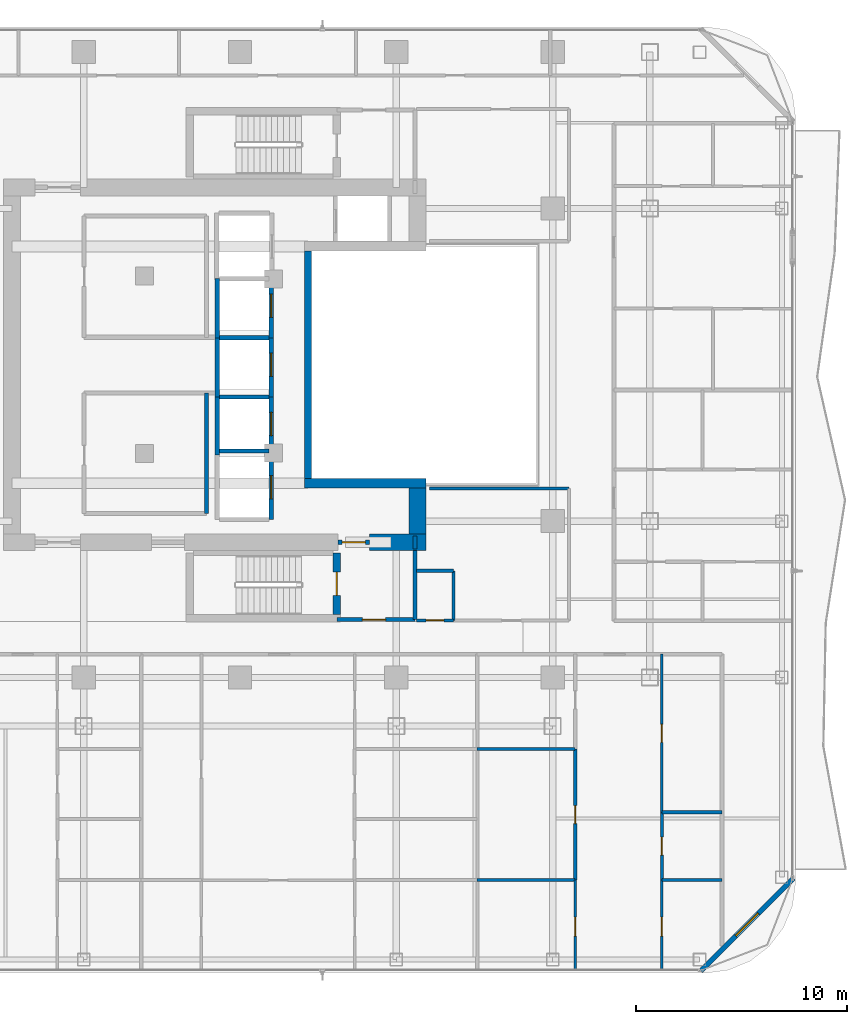
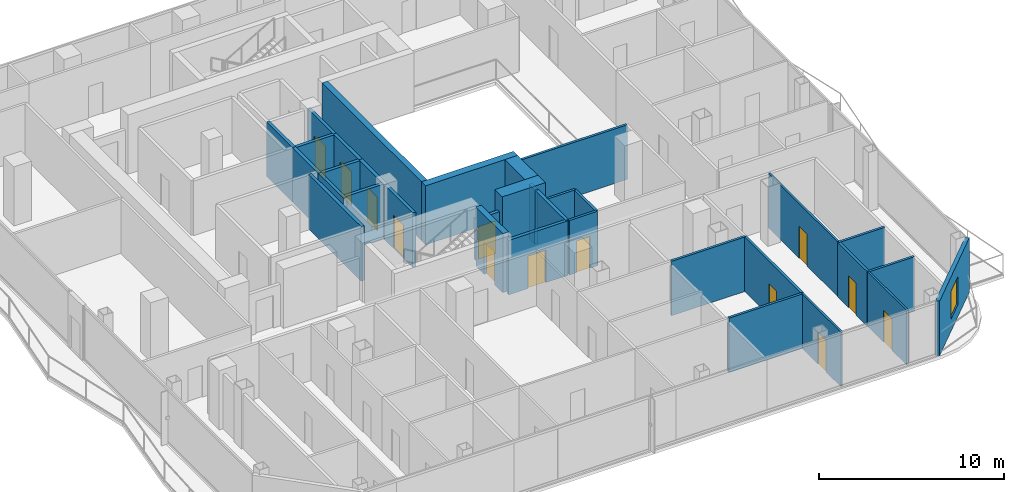
# One storey, part 21 of 27: 34 walls, 13 doors, 1 window, 14 openings.
"""IFC4 building model written with IfcOpenShell, lengths in metres."""

from ifc_helpers import new_model, si_unit, direction, frame, frame_2d, origin, place, context, subcontext, project, spatial, rectangle, extrude, material, layer, layer_set, type_object, element, fill, save


model = new_model("IFC4")

# Units and contexts
model_context = context("Model", 3, precision=1e-05, world=origin(), true_north=direction((0.0, 1.0)))
body_context = subcontext(model_context, "Body", "Model", "MODEL_VIEW")
ifc_project = project(units=[si_unit("LENGTHUNIT", "METRE"), si_unit("AREAUNIT", "SQUARE_METRE"), si_unit("VOLUMEUNIT", "CUBIC_METRE"), si_unit("PLANEANGLEUNIT", "RADIAN"), si_unit("MASSUNIT", "GRAM", prefix="KILO")], contexts=[model_context])

# Site, building, storey
site_placement = place(None, origin())
site = spatial("IfcSite", under=ifc_project, at=site_placement, CompositionType="ELEMENT")
building_placement = place(site_placement, origin())
building = spatial("IfcBuilding", under=site, at=building_placement, Name="Khorvyn Point Tower", CompositionType="ELEMENT")
storey_placement = place(building_placement, frame((0.0, 0.0, 231.300048828125)))
storey = spatial("IfcBuildingStorey", under=building, at=storey_placement, Name="L57", CompositionType="ELEMENT", Elevation=231.300048828125)

# Wall, opening, window
ifc_material_1 = material(Name="Pale anodised aluminium rainscreen on steel stud", Category="steel")
ifc_layer_1 = layer(ifc_material_1, 0.239990234375)
ifc_layer_set_1 = layer_set([ifc_layer_1], Name="Anodised Aluminium Insulated Corner Spandrel Wall 240")
wall_type_1 = type_object("IfcWallType", Name="Anodised Aluminium Insulated Corner Spandrel Wall 240", PredefinedType="SOLIDWALL", material=ifc_layer_set_1)
wall_1_placement = place(storey_placement, frame((26.1923828125, -24.3076171875, 0.0), z_axis=(0.0, 0.0, 1.0), x_axis=(-0.707106781187, -0.707106781187, 0.0)))
wall_1 = element("IfcWall", 1, at=wall_1_placement, inside=storey, type_object=wall_type_1, Name="L57 Rounded Corner Wall SE", PredefinedType="SOLIDWALL", context=body_context, shape_type="SweptSolid", body=[
    extrude(rectangle(XDim=6.200927734375, YDim=0.239990234375, at=frame_2d((3.1005859375, 0.0))), origin(), (0.0, 0.0, 1.0), 3.599853515625),
])
opening_1_placement = place(wall_1_placement, frame((2.3505859375, 0.0, 0.800048828125)))
opening_1 = element("IfcOpeningElement", 2, at=opening_1_placement, cuts=wall_1, Name="Opening WN-1518", PredefinedType="OPENING", context=body_context, shape_type="SweptSolid", body=[
    extrude(rectangle(XDim=1.5, YDim=1.85009765625, at=frame_2d((0.75, 0.925048828125))), frame((0.0, 0.1298828125, 0.0), z_axis=(0.0, -1.0, 0.0), x_axis=(1.0, 0.0, 0.0)), (0.0, 0.0, 1.0), 0.260009765625),
])
ifc_material_2 = material(Name="Anodised aluminium 6063-T6 and laminated Low-E glass", Category="aluminium")
window_type = type_object("IfcWindowType", Name="Anodised Aluminium Rounded-Corner Panoramic Window 1500x1850", PartitioningType="SINGLE_PANEL", PredefinedType="WINDOW", material=ifc_material_2)
window_placement = place(opening_1_placement, origin())
window = element("IfcWindow", 3, at=window_placement, inside=storey, type_object=window_type, Name="L57 Corner Panoramic Window SE", OverallHeight=1.85009765625, OverallWidth=1.5, PartitioningType="SINGLE_PANEL", PredefinedType="WINDOW", context=body_context, shape_type="SweptSolid", body=[
    extrude(rectangle(XDim=1.5, YDim=1.85009765625, at=frame_2d((0.75, 0.925048828125))), frame((0.0, 0.030029296875, 0.0), z_axis=(0.0, -1.0, 0.0), x_axis=(1.0, 0.0, 0.0)), (0.0, 0.0, 1.0), 0.06005859375),
])
fill(opening_1, window)

# Wall
ifc_material_3 = material(Name="Concrete C40/50", Category="concrete")
ifc_layer_2 = layer(ifc_material_3, 0.449951171875)
ifc_layer_set_2 = layer_set([ifc_layer_2], Name="Concrete C40/50 Core Shear Wall 450")
wall_type_2 = type_object("IfcWallType", Name="Concrete C40/50 Core Shear Wall 450", PredefinedType="SHEAR", material=ifc_layer_set_2)
wall_2_placement = place(storey_placement, frame((3.044921875, -5.60009765625, 0.0), z_axis=(0.0, 0.0, 1.0), x_axis=(1.0, 0.0, 0.0)))
element("IfcWall", 4, at=wall_2_placement, inside=storey, type_object=wall_type_2, Name="Wall", PredefinedType="SHEAR", context=body_context, shape_type="SweptSolid", body=[
    extrude(rectangle(XDim=5.755126953125, YDim=0.449951171875, at=frame_2d((2.87744140625, 0.0))), origin(), (0.0, 0.0, 1.0), 3.89990234375),
])

# Wall, opening, door
ifc_layer_3 = layer(ifc_material_3, 0.199951171875)
ifc_layer_set_3 = layer_set([ifc_layer_3], Name="Concrete C40/50 Fire-Lobby Compartment Wall 200")
wall_type_3 = type_object("IfcWallType", Name="Concrete C40/50 Fire-Lobby Compartment Wall 200", PredefinedType="SOLIDWALL", material=ifc_layer_set_3)
wall_3_placement = place(storey_placement, frame((4.580078125, -12.06005859375, 0.0), z_axis=(0.0, 0.0, 1.0), x_axis=(1.0, 0.0, 0.0)))
wall_3 = element("IfcWall", 5, at=wall_3_placement, inside=storey, type_object=wall_type_3, Name="Wall", PredefinedType="SOLIDWALL", context=body_context, shape_type="SweptSolid", body=[
    extrude(rectangle(XDim=3.699951171875, YDim=0.199951171875, at=frame_2d((1.85009765625, 0.0))), origin(), (0.0, 0.0, 1.0), 3.599853515625),
])
opening_2_placement = place(wall_3_placement, frame((1.21240234375, 0.0, 0.0)))
opening_2 = element("IfcOpeningElement", 6, at=opening_2_placement, cuts=wall_3, Name="Opening ID-FL90", PredefinedType="OPENING", context=body_context, shape_type="SweptSolid", body=[
    extrude(rectangle(XDim=1.10009765625, YDim=2.14990234375, at=frame_2d((0.550048828125, 1.074951171875))), frame((0.0, 0.10986328125, 0.0), z_axis=(0.0, -1.0, 0.0), x_axis=(1.0, 0.0, 0.0)), (0.0, 0.0, 1.0), 0.219970703125),
])
ifc_material_4 = material(Name="Galvanised powder-coated steel", Category="steel")
door_type_1 = type_object("IfcDoorType", Name="Fire-Rated Steel Lobby and Stair Door 1100x2150", OperationType="NOTDEFINED", PredefinedType="DOOR", material=ifc_material_4)
door_1_placement = place(opening_2_placement, origin())
door_1 = element("IfcDoor", 7, at=door_1_placement, inside=storey, type_object=door_type_1, Name="Door", OperationType="SINGLE_SWING_LEFT", OverallHeight=2.14990234375, OverallWidth=1.10009765625, PredefinedType="DOOR", context=body_context, shape_type="SweptSolid", body=[
    extrude(rectangle(XDim=1.10009765625, YDim=2.14990234375, at=frame_2d((0.550048828125, 1.074951171875))), frame((0.0, 0.02490234375, 0.0), z_axis=(0.0, -1.0, 0.0), x_axis=(1.0, 0.0, 0.0)), (0.0, 0.0, 1.0), 0.050048828125),
])
fill(opening_2, door_1)

wall_4_placement = place(storey_placement, frame((4.64990234375, -8.39990234375, 0.0), z_axis=(0.0, 0.0, 1.0), x_axis=(1.0, 0.0, 0.0)))
wall_4 = element("IfcWall", 8, at=wall_4_placement, inside=storey, type_object=wall_type_3, Name="Wall", PredefinedType="SOLIDWALL", context=body_context, shape_type="SweptSolid", body=[
    extrude(rectangle(XDim=1.47021484375, YDim=0.199951171875, at=frame_2d((0.735107421875, 0.0))), origin(), (0.0, 0.0, 1.0), 2.739990234375),
])
opening_3_placement = place(wall_4_placement, frame((0.18505859375, 0.0, 0.0)))
opening_3 = element("IfcOpeningElement", 9, at=opening_3_placement, cuts=wall_4, Name="Opening ID-FL90", PredefinedType="OPENING", context=body_context, shape_type="SweptSolid", body=[
    extrude(rectangle(XDim=1.10009765625, YDim=2.14990234375, at=frame_2d((0.550048828125, 1.074951171875))), frame((0.0, 0.10986328125, 0.0), z_axis=(0.0, -1.0, 0.0), x_axis=(1.0, 0.0, 0.0)), (0.0, 0.0, 1.0), 0.219970703125),
])
door_2_placement = place(opening_3_placement, origin())
door_2 = element("IfcDoor", 10, at=door_2_placement, inside=storey, type_object=door_type_1, Name="Door", OperationType="SINGLE_SWING_RIGHT", OverallHeight=2.14990234375, OverallWidth=1.10009765625, PredefinedType="DOOR", context=body_context, shape_type="SweptSolid", body=[
    extrude(rectangle(XDim=1.10009765625, YDim=2.14990234375, at=frame_2d((0.550048828125, 1.074951171875))), frame((0.0, 0.02490234375, 0.0), z_axis=(0.0, -1.0, 0.0), x_axis=(1.0, 0.0, 0.0)), (0.0, 0.0, 1.0), 0.050048828125),
])
fill(opening_3, door_2)

# Walls
wall_5_placement = place(storey_placement, frame((8.280029296875, -12.06005859375, 0.0), z_axis=(0.0, 0.0, 1.0), x_axis=(0.0, 1.0, 0.0)))
element("IfcWall", 11, at=wall_5_placement, inside=storey, type_object=wall_type_3, Name="Wall", PredefinedType="SOLIDWALL", context=body_context, shape_type="SweptSolid", body=[
    extrude(rectangle(XDim=3.260009765625, YDim=0.199951171875, at=frame_2d((1.6298828125, 0.0))), origin(), (0.0, 0.0, 1.0), 3.599853515625),
])
wall_6_placement = place(storey_placement, frame((-1.580078125, -7.0400390625, 0.0), z_axis=(0.0, 0.0, 1.0), x_axis=(0.0, 1.0, 0.0)))
element("IfcWall", 12, at=wall_6_placement, inside=storey, type_object=wall_type_3, Name="Wall", PredefinedType="SOLIDWALL", context=body_context, shape_type="SweptSolid", body=[
    extrude(rectangle(XDim=5.699951171875, YDim=0.199951171875, at=frame_2d((2.85009765625, 0.0))), origin(), (0.0, 0.0, 1.0), 3.599853515625),
])
wall_7_placement = place(storey_placement, frame((8.280029296875, -8.72509765625, 0.0), z_axis=(0.0, 0.0, 1.0), x_axis=(0.0, 1.0, 0.0)))
element("IfcWall", 13, at=wall_7_placement, inside=storey, type_object=wall_type_3, Name="Wall", PredefinedType="SOLIDWALL", context=body_context, shape_type="SweptSolid", body=[
    extrude(rectangle(XDim=0.625, YDim=0.199951171875, at=frame_2d((0.3125, 0.0))), origin(), (0.0, 0.0, 1.0), 3.599853515625),
])
ifc_layer_4 = layer(ifc_material_3, 0.35009765625)
ifc_layer_set_4 = layer_set([ifc_layer_4], Name="Concrete C40/50 Stair Shaft Structural Wall 350")
wall_type_4 = type_object("IfcWallType", Name="Concrete C40/50 Stair Shaft Structural Wall 350", PredefinedType="SHEAR", material=ifc_layer_set_4)
wall_8_placement = place(storey_placement, frame((3.219970703125, -5.375, 0.0), z_axis=(0.0, 0.0, 1.0), x_axis=(0.0, 1.0, 0.0)))
element("IfcWall", 14, at=wall_8_placement, inside=storey, type_object=wall_type_4, Name="Wall", PredefinedType="SHEAR", context=body_context, shape_type="SweptSolid", body=[
    extrude(rectangle(XDim=10.75, YDim=0.35009765625, at=frame_2d((5.375, 0.0))), origin(), (0.0, 0.0, 1.0), 3.89990234375),
])

# Wall, opening, door
wall_9_placement = place(storey_placement, frame((4.580078125, -8.89990234375, 0.0), z_axis=(0.0, 0.0, 1.0), x_axis=(0.0, -1.0, 0.0)))
wall_9 = element("IfcWall", 15, at=wall_9_placement, inside=storey, type_object=wall_type_4, Name="L57 ST-01 East Landing Door Wall", PredefinedType="SHEAR", context=body_context, shape_type="SweptSolid", body=[
    extrude(rectangle(XDim=2.925048828125, YDim=0.35009765625, at=frame_2d((1.46240234375, 0.0))), origin(), (0.0, 0.0, 1.0), 3.89990234375),
])
opening_4_placement = place(wall_9_placement, frame((0.91259765625, 0.0, 0.0)))
opening_4 = element("IfcOpeningElement", 16, at=opening_4_placement, cuts=wall_9, Name="Opening ID-FL90", PredefinedType="OPENING", context=body_context, shape_type="SweptSolid", body=[
    extrude(rectangle(XDim=1.10009765625, YDim=2.14990234375, at=frame_2d((0.550048828125, 1.074951171875))), frame((0.0, 0.18505859375, 0.0), z_axis=(0.0, -1.0, 0.0), x_axis=(1.0, 0.0, 0.0)), (0.0, 0.0, 1.0), 0.3701171875),
])
door_3_placement = place(opening_4_placement, origin())
door_3 = element("IfcDoor", 17, at=door_3_placement, inside=storey, type_object=door_type_1, Name="L57 ST-01 Smokeproof Landing Door", OperationType="SINGLE_SWING_LEFT", OverallHeight=2.14990234375, OverallWidth=1.10009765625, PredefinedType="DOOR", context=body_context, shape_type="SweptSolid", body=[
    extrude(rectangle(XDim=1.10009765625, YDim=2.14990234375, at=frame_2d((0.550048828125, 1.074951171875))), frame((0.0, 0.02490234375, 0.0), z_axis=(0.0, -1.0, 0.0), x_axis=(1.0, 0.0, 0.0)), (0.0, 0.0, 1.0), 0.050048828125),
])
fill(opening_4, door_3)

# Wall
ifc_layer_5 = layer(ifc_material_3, 0.199951171875)
ifc_layer_set_5 = layer_set([ifc_layer_5], Name="Concrete C40/50 Structural Hoistway and Stair Shaft Wall 200")
wall_type_5 = type_object("IfcWallType", Name="Concrete C40/50 Structural Hoistway and Stair Shaft Wall 200", PredefinedType="SHEAR", material=ifc_layer_set_5)
wall_10_placement = place(storey_placement, frame((-1.074951171875, -4.27490234375, 0.0), z_axis=(0.0, 0.0, 1.0), x_axis=(0.0, 1.0, 0.0)))
element("IfcWall", 18, at=wall_10_placement, inside=storey, type_object=wall_type_5, Name="Wall", PredefinedType="SHEAR", context=body_context, shape_type="SweptSolid", body=[
    extrude(rectangle(XDim=2.75, YDim=0.199951171875, at=frame_2d((1.375, 0.0))), origin(), (0.0, 0.0, 1.0), 3.599853515625),
])

# Wall, opening, door
wall_11_placement = place(storey_placement, frame((1.47509765625, -4.27490234375, 0.0), z_axis=(0.0, 0.0, 1.0), x_axis=(0.0, 1.0, 0.0)))
wall_11 = element("IfcWall", 19, at=wall_11_placement, inside=storey, type_object=wall_type_5, Name="Wall", PredefinedType="SHEAR", context=body_context, shape_type="SweptSolid", body=[
    extrude(rectangle(XDim=2.75, YDim=0.199951171875, at=frame_2d((1.375, 0.0))), origin(), (0.0, 0.0, 1.0), 3.599853515625),
])
opening_5_placement = place(wall_11_placement, frame((0.925048828125, 0.0, 0.0)))
opening_5 = element("IfcOpeningElement", 20, at=opening_5_placement, cuts=wall_11, Name="Opening LD-1122", PredefinedType="OPENING", context=body_context, shape_type="SweptSolid", body=[
    extrude(rectangle(XDim=1.10009765625, YDim=2.199951171875, at=frame_2d((0.550048828125, 1.10009765625))), frame((0.0, 0.10986328125, 0.0), z_axis=(0.0, -1.0, 0.0), x_axis=(1.0, 0.0, 0.0)), (0.0, 0.0, 1.0), 0.219970703125),
])
ifc_material_5 = material(Name="Stainless steel 1.4301", Category="steel")
door_type_2 = type_object("IfcDoorType", Name="Stainless Steel Automatic Sliding Lift Landing Door 1100x2200", OperationType="SLIDING_TO_LEFT", PredefinedType="DOOR", material=ifc_material_5)
door_4_placement = place(opening_5_placement, origin())
door_4 = element("IfcDoor", 21, at=door_4_placement, inside=storey, type_object=door_type_2, Name="L57 RH-01 Sliding Lift Landing Door", OperationType="SLIDING_TO_LEFT", OverallHeight=2.199951171875, OverallWidth=1.10009765625, PredefinedType="DOOR", context=body_context, shape_type="SweptSolid", body=[
    extrude(rectangle(XDim=1.10009765625, YDim=2.199951171875, at=frame_2d((0.550048828125, 1.10009765625))), frame((0.0, 0.02490234375, 0.0), z_axis=(0.0, -1.0, 0.0), x_axis=(1.0, 0.0, 0.0)), (0.0, 0.0, 1.0), 0.050048828125),
])
fill(opening_5, door_4)

# Walls
for number, where, z_axis, x_axis, name in (
    (22, (-0.97509765625, -4.074951171875, 0.0), (0.0, 0.0, 1.0), (1.0, 0.0, 0.0), "Wall"),
    (23, (-0.97509765625, -1.52490234375, 0.0), (0.0, 0.0, 1.0), (1.0, 0.0, 0.0), "Wall"),
):
    element("IfcWall", number, at=place(storey_placement, frame(where, z_axis=z_axis, x_axis=x_axis)), inside=storey, type_object=wall_type_5, Name=name, PredefinedType="SHEAR", context=body_context, shape_type="SweptSolid", body=[
        extrude(rectangle(XDim=2.35009765625, YDim=0.199951171875, at=frame_2d((1.175048828125, 0.0))), origin(), (0.0, 0.0, 1.0), 3.599853515625),
    ])
wall_12_placement = place(storey_placement, frame((-1.074951171875, -1.52490234375, 0.0), z_axis=(0.0, 0.0, 1.0), x_axis=(0.0, 1.0, 0.0)))
element("IfcWall", 24, at=wall_12_placement, inside=storey, type_object=wall_type_5, Name="Wall", PredefinedType="SHEAR", context=body_context, shape_type="SweptSolid", body=[
    extrude(rectangle(XDim=2.7998046875, YDim=0.199951171875, at=frame_2d((1.39990234375, 0.0))), origin(), (0.0, 0.0, 1.0), 3.599853515625),
])

# Wall, opening, door
wall_13_placement = place(storey_placement, frame((1.47509765625, -1.52490234375, 0.0), z_axis=(0.0, 0.0, 1.0), x_axis=(0.0, 1.0, 0.0)))
wall_13 = element("IfcWall", 25, at=wall_13_placement, inside=storey, type_object=wall_type_5, Name="Wall", PredefinedType="SHEAR", context=body_context, shape_type="SweptSolid", body=[
    extrude(rectangle(XDim=2.7998046875, YDim=0.199951171875, at=frame_2d((1.39990234375, 0.0))), origin(), (0.0, 0.0, 1.0), 3.599853515625),
])
opening_6_placement = place(wall_13_placement, frame((0.97509765625, 0.0, 0.0)))
opening_6 = element("IfcOpeningElement", 26, at=opening_6_placement, cuts=wall_13, Name="Opening LD-1122", PredefinedType="OPENING", context=body_context, shape_type="SweptSolid", body=[
    extrude(rectangle(XDim=1.10009765625, YDim=2.199951171875, at=frame_2d((0.550048828125, 1.10009765625))), frame((0.0, 0.10986328125, 0.0), z_axis=(0.0, -1.0, 0.0), x_axis=(1.0, 0.0, 0.0)), (0.0, 0.0, 1.0), 0.219970703125),
])
door_5_placement = place(opening_6_placement, origin())
door_5 = element("IfcDoor", 27, at=door_5_placement, inside=storey, type_object=door_type_2, Name="L57 RH-02 Sliding Lift Landing Door", OperationType="SLIDING_TO_LEFT", OverallHeight=2.199951171875, OverallWidth=1.10009765625, PredefinedType="DOOR", context=body_context, shape_type="SweptSolid", body=[
    extrude(rectangle(XDim=1.10009765625, YDim=2.199951171875, at=frame_2d((0.550048828125, 1.10009765625))), frame((0.0, 0.02490234375, 0.0), z_axis=(0.0, -1.0, 0.0), x_axis=(1.0, 0.0, 0.0)), (0.0, 0.0, 1.0), 0.050048828125),
])
fill(opening_6, door_5)

# Walls
wall_14_placement = place(storey_placement, frame((-0.97509765625, 1.27490234375, 0.0), z_axis=(0.0, 0.0, 1.0), x_axis=(1.0, 0.0, 0.0)))
element("IfcWall", 28, at=wall_14_placement, inside=storey, type_object=wall_type_5, Name="Wall", PredefinedType="SHEAR", context=body_context, shape_type="SweptSolid", body=[
    extrude(rectangle(XDim=2.35009765625, YDim=0.199951171875, at=frame_2d((1.175048828125, 0.0))), origin(), (0.0, 0.0, 1.0), 3.599853515625),
])
wall_15_placement = place(storey_placement, frame((-1.074951171875, 1.27490234375, 0.0), z_axis=(0.0, 0.0, 1.0), x_axis=(0.0, 1.0, 0.0)))
element("IfcWall", 29, at=wall_15_placement, inside=storey, type_object=wall_type_5, Name="Wall", PredefinedType="SHEAR", context=body_context, shape_type="SweptSolid", body=[
    extrude(rectangle(XDim=2.800048828125, YDim=0.199951171875, at=frame_2d((1.39990234375, 0.0))), origin(), (0.0, 0.0, 1.0), 3.599853515625),
])

# Wall, opening, door
wall_16_placement = place(storey_placement, frame((1.47509765625, 1.27490234375, 0.0), z_axis=(0.0, 0.0, 1.0), x_axis=(0.0, 1.0, 0.0)))
wall_16 = element("IfcWall", 30, at=wall_16_placement, inside=storey, type_object=wall_type_5, Name="Wall", PredefinedType="SHEAR", context=body_context, shape_type="SweptSolid", body=[
    extrude(rectangle(XDim=2.800048828125, YDim=0.199951171875, at=frame_2d((1.39990234375, 0.0))), origin(), (0.0, 0.0, 1.0), 3.599853515625),
])
opening_7_placement = place(wall_16_placement, frame((0.97509765625, 0.0, 0.0)))
opening_7 = element("IfcOpeningElement", 31, at=opening_7_placement, cuts=wall_16, Name="Opening LD-1122", PredefinedType="OPENING", context=body_context, shape_type="SweptSolid", body=[
    extrude(rectangle(XDim=1.10009765625, YDim=2.199951171875, at=frame_2d((0.550048828125, 1.10009765625))), frame((0.0, 0.10986328125, 0.0), z_axis=(0.0, -1.0, 0.0), x_axis=(1.0, 0.0, 0.0)), (0.0, 0.0, 1.0), 0.219970703125),
])
door_6_placement = place(opening_7_placement, origin())
door_6 = element("IfcDoor", 32, at=door_6_placement, inside=storey, type_object=door_type_2, Name="L57 RH-03 Sliding Lift Landing Door", OperationType="SLIDING_TO_LEFT", OverallHeight=2.199951171875, OverallWidth=1.10009765625, PredefinedType="DOOR", context=body_context, shape_type="SweptSolid", body=[
    extrude(rectangle(XDim=1.10009765625, YDim=2.199951171875, at=frame_2d((0.550048828125, 1.10009765625))), frame((0.0, 0.02490234375, 0.0), z_axis=(0.0, -1.0, 0.0), x_axis=(1.0, 0.0, 0.0)), (0.0, 0.0, 1.0), 0.050048828125),
])
fill(opening_7, door_6)

wall_17_placement = place(storey_placement, frame((1.47509765625, -7.324951171875, 0.0), z_axis=(0.0, 0.0, 1.0), x_axis=(0.0, 1.0, 0.0)))
wall_17 = element("IfcWall", 33, at=wall_17_placement, inside=storey, type_object=wall_type_5, Name="Wall", PredefinedType="SHEAR", context=body_context, shape_type="SweptSolid", body=[
    extrude(rectangle(XDim=3.050048828125, YDim=0.199951171875, at=frame_2d((1.52490234375, 0.0))), origin(), (0.0, 0.0, 1.0), 3.599853515625),
])
opening_8_placement = place(wall_17_placement, frame((0.97509765625, 0.0, 0.0)))
opening_8 = element("IfcOpeningElement", 34, at=opening_8_placement, cuts=wall_17, Name="Opening LD-1122", PredefinedType="OPENING", context=body_context, shape_type="SweptSolid", body=[
    extrude(rectangle(XDim=1.10009765625, YDim=2.199951171875, at=frame_2d((0.550048828125, 1.10009765625))), frame((0.0, 0.10986328125, 0.0), z_axis=(0.0, -1.0, 0.0), x_axis=(1.0, 0.0, 0.0)), (0.0, 0.0, 1.0), 0.219970703125),
])
door_7_placement = place(opening_8_placement, origin())
door_7 = element("IfcDoor", 35, at=door_7_placement, inside=storey, type_object=door_type_2, Name="L57 FF-01 Sliding Lift Landing Door", OperationType="SLIDING_TO_LEFT", OverallHeight=2.199951171875, OverallWidth=1.10009765625, PredefinedType="DOOR", context=body_context, shape_type="SweptSolid", body=[
    extrude(rectangle(XDim=1.10009765625, YDim=2.199951171875, at=frame_2d((0.550048828125, 1.10009765625))), frame((0.0, 0.02490234375, 0.0), z_axis=(0.0, -1.0, 0.0), x_axis=(1.0, 0.0, 0.0)), (0.0, 0.0, 1.0), 0.050048828125),
])
fill(opening_8, door_7)

# Walls
ifc_material_6 = material(Name="Concrete C45/55", Category="concrete")
ifc_layer_6 = layer(ifc_material_6, 0.800048828125)
ifc_layer_set_6 = layer_set([ifc_layer_6], Name="Concrete C45/55 Core Shear Wall 800")
wall_type_6 = type_object("IfcWallType", Name="Concrete C45/55 Core Shear Wall 800", PredefinedType="SHEAR", material=ifc_layer_set_6)
wall_18_placement = place(storey_placement, frame((6.1201171875, -8.39990234375, 0.0), z_axis=(0.0, 0.0, 1.0), x_axis=(1.0, 0.0, 0.0)))
element("IfcWall", 36, at=wall_18_placement, inside=storey, type_object=wall_type_6, Name="Wall", PredefinedType="SHEAR", context=body_context, shape_type="SweptSolid", body=[
    extrude(rectangle(XDim=2.679931640625, YDim=0.800048828125, at=frame_2d((1.33984375, 0.0))), origin(), (0.0, 0.0, 1.0), 3.89990234375),
])
wall_19_placement = place(storey_placement, frame((8.39990234375, -8.0, 0.0), z_axis=(0.0, 0.0, 1.0), x_axis=(0.0, 1.0, 0.0)))
element("IfcWall", 37, at=wall_19_placement, inside=storey, type_object=wall_type_6, Name="Wall", PredefinedType="SHEAR", context=body_context, shape_type="SweptSolid", body=[
    extrude(rectangle(XDim=2.175048828125, YDim=0.800048828125, at=frame_2d((1.08740234375, 0.0))), origin(), (0.0, 0.0, 1.0), 3.89990234375),
])

# Wall, opening, door
ifc_material_7 = material(Name="Gypsum plasterboard on steel stud", Category="steel")
ifc_layer_7 = layer(ifc_material_7, 0.1201171875)
ifc_layer_set_7 = layer_set([ifc_layer_7], Name="Gypsum Acoustic Stud Room Partition Wall 120")
wall_type_7 = type_object("IfcWallType", Name="Gypsum Acoustic Stud Room Partition Wall 120", PredefinedType="PARTITIONING", material=ifc_layer_set_7)
wall_20_placement = place(storey_placement, frame((15.864990234375, -28.6298828125, 0.0), z_axis=(0.0, 0.0, 1.0), x_axis=(0.0, 1.0, 0.0)))
wall_20 = element("IfcWall", 38, at=wall_20_placement, inside=storey, type_object=wall_type_7, Name="Wall", PredefinedType="PARTITIONING", context=body_context, shape_type="SweptSolid", body=[
    extrude(rectangle(XDim=4.239990234375, YDim=0.1201171875, at=frame_2d((2.1201171875, 0.0))), origin(), (0.0, 0.0, 1.0), 3.599853515625),
])
opening_9_placement = place(wall_20_placement, frame((1.581298828125, 0.0, 0.0)))
opening_9 = element("IfcOpeningElement", 39, at=opening_9_placement, cuts=wall_20, Name="Opening ID-RM90", PredefinedType="OPENING", context=body_context, shape_type="SweptSolid", body=[
    extrude(rectangle(XDim=0.89990234375, YDim=2.10009765625, at=frame_2d((0.449951171875, 1.050048828125))), frame((0.0, 0.070068359375, 0.0), z_axis=(0.0, -1.0, 0.0), x_axis=(1.0, 0.0, 0.0)), (0.0, 0.0, 1.0), 0.14013671875),
])
ifc_material_8 = material(Name="Engineered oak veneer timber", Category="wood")
door_type_3 = type_object("IfcDoorType", Name="Flush Engineered Timber Room Door 900x2100", OperationType="NOTDEFINED", PredefinedType="DOOR", material=ifc_material_8)
door_8_placement = place(opening_9_placement, origin())
door_8 = element("IfcDoor", 40, at=door_8_placement, inside=storey, type_object=door_type_3, Name="Door", OperationType="SINGLE_SWING_RIGHT", OverallHeight=2.10009765625, OverallWidth=0.89990234375, PredefinedType="DOOR", context=body_context, shape_type="SweptSolid", body=[
    extrude(rectangle(XDim=0.89990234375, YDim=2.10009765625, at=frame_2d((0.449951171875, 1.050048828125))), frame((0.0, 0.02490234375, 0.0), z_axis=(0.0, -1.0, 0.0), x_axis=(1.0, 0.0, 0.0)), (0.0, 0.0, 1.0), 0.050048828125),
])
fill(opening_9, door_8)

wall_21_placement = place(storey_placement, frame((19.969970703125, -21.18310546875, 0.0), z_axis=(0.0, 0.0, 1.0), x_axis=(0.0, 1.0, 0.0)))
wall_21 = element("IfcWall", 41, at=wall_21_placement, inside=storey, type_object=wall_type_7, Name="Wall", PredefinedType="PARTITIONING", context=body_context, shape_type="SweptSolid", body=[
    extrude(rectangle(XDim=7.483154296875, YDim=0.1201171875, at=frame_2d((3.74169921875, 0.0))), origin(), (0.0, 0.0, 1.0), 3.599853515625),
])
opening_10_placement = place(wall_21_placement, frame((3.31640625, 0.0, 0.0)))
opening_10 = element("IfcOpeningElement", 42, at=opening_10_placement, cuts=wall_21, Name="Opening ID-WC85", PredefinedType="OPENING", context=body_context, shape_type="SweptSolid", body=[
    extrude(rectangle(XDim=0.85009765625, YDim=2.10009765625, at=frame_2d((0.425048828125, 1.050048828125))), frame((0.0, 0.070068359375, 0.0), z_axis=(0.0, -1.0, 0.0), x_axis=(1.0, 0.0, 0.0)), (0.0, 0.0, 1.0), 0.14013671875),
])
ifc_material_9 = material(Name="High-pressure laminate on moisture-resistant core", Category="wood")
door_type_4 = type_object("IfcDoorType", Name="Moisture-Resistant Accessible Washroom Door 850x2100", OperationType="NOTDEFINED", PredefinedType="DOOR", material=ifc_material_9)
door_9_placement = place(opening_10_placement, origin())
door_9 = element("IfcDoor", 43, at=door_9_placement, inside=storey, type_object=door_type_4, Name="Door", OperationType="SINGLE_SWING_RIGHT", OverallHeight=2.10009765625, OverallWidth=0.85009765625, PredefinedType="DOOR", context=body_context, shape_type="SweptSolid", body=[
    extrude(rectangle(XDim=0.85009765625, YDim=2.10009765625, at=frame_2d((0.425048828125, 1.050048828125))), frame((0.0, 0.02490234375, 0.0), z_axis=(0.0, -1.0, 0.0), x_axis=(1.0, 0.0, 0.0)), (0.0, 0.0, 1.0), 0.050048828125),
])
fill(opening_10, door_9)

wall_22_placement = place(storey_placement, frame((19.969970703125, -28.6298828125, 0.0), z_axis=(0.0, 0.0, 1.0), x_axis=(0.0, 1.0, 0.0)))
wall_22 = element("IfcWall", 44, at=wall_22_placement, inside=storey, type_object=wall_type_7, Name="Wall", PredefinedType="PARTITIONING", context=body_context, shape_type="SweptSolid", body=[
    extrude(rectangle(XDim=4.239990234375, YDim=0.1201171875, at=frame_2d((2.1201171875, 0.0))), origin(), (0.0, 0.0, 1.0), 3.599853515625),
])
opening_11_placement = place(wall_22_placement, frame((1.581298828125, 0.0, 0.0)))
opening_11 = element("IfcOpeningElement", 45, at=opening_11_placement, cuts=wall_22, Name="Opening ID-RM90", PredefinedType="OPENING", context=body_context, shape_type="SweptSolid", body=[
    extrude(rectangle(XDim=0.89990234375, YDim=2.10009765625, at=frame_2d((0.449951171875, 1.050048828125))), frame((0.0, 0.070068359375, 0.0), z_axis=(0.0, -1.0, 0.0), x_axis=(1.0, 0.0, 0.0)), (0.0, 0.0, 1.0), 0.14013671875),
])
door_10_placement = place(opening_11_placement, origin())
door_10 = element("IfcDoor", 46, at=door_10_placement, inside=storey, type_object=door_type_3, Name="Door", OperationType="SINGLE_SWING_LEFT", OverallHeight=2.10009765625, OverallWidth=0.89990234375, PredefinedType="DOOR", context=body_context, shape_type="SweptSolid", body=[
    extrude(rectangle(XDim=0.89990234375, YDim=2.10009765625, at=frame_2d((0.449951171875, 1.050048828125))), frame((0.0, 0.02490234375, 0.0), z_axis=(0.0, -1.0, 0.0), x_axis=(1.0, 0.0, 0.0)), (0.0, 0.0, 1.0), 0.050048828125),
])
fill(opening_11, door_10)

ifc_material_10 = material(Name="Moisture-resistant gypsum and cement board", Category="gypsum")
ifc_layer_8 = layer(ifc_material_10, 0.14990234375)
ifc_layer_set_8 = layer_set([ifc_layer_8], Name="Moisture-Resistant Wet-Room Partition Wall 150")
wall_type_8 = type_object("IfcWallType", Name="Moisture-Resistant Wet-Room Partition Wall 150", PredefinedType="PARTITIONING", material=ifc_layer_set_8)
wall_23_placement = place(storey_placement, frame((8.360107421875, -12.10009765625, 0.0), z_axis=(0.0, 0.0, 1.0), x_axis=(1.0, 0.0, 0.0)))
wall_23 = element("IfcWall", 47, at=wall_23_placement, inside=storey, type_object=wall_type_8, Name="Wall", PredefinedType="PARTITIONING", context=body_context, shape_type="SweptSolid", body=[
    extrude(rectangle(XDim=1.739990234375, YDim=0.14990234375, at=frame_2d((0.8701171875, 0.0))), origin(), (0.0, 0.0, 1.0), 3.599853515625),
])
opening_12_placement = place(wall_23_placement, frame((0.445068359375, 0.0, 0.0)))
opening_12 = element("IfcOpeningElement", 48, at=opening_12_placement, cuts=wall_23, Name="Opening ID-WC85", PredefinedType="OPENING", context=body_context, shape_type="SweptSolid", body=[
    extrude(rectangle(XDim=0.85009765625, YDim=2.10009765625, at=frame_2d((0.425048828125, 1.050048828125))), frame((0.0, 0.0849609375, 0.0), z_axis=(0.0, -1.0, 0.0), x_axis=(1.0, 0.0, 0.0)), (0.0, 0.0, 1.0), 0.169921875),
])
door_11_placement = place(opening_12_placement, origin())
door_11 = element("IfcDoor", 49, at=door_11_placement, inside=storey, type_object=door_type_4, Name="Door", OperationType="SINGLE_SWING_RIGHT", OverallHeight=2.10009765625, OverallWidth=0.85009765625, PredefinedType="DOOR", context=body_context, shape_type="SweptSolid", body=[
    extrude(rectangle(XDim=0.85009765625, YDim=2.10009765625, at=frame_2d((0.425048828125, 1.050048828125))), frame((0.0, 0.02490234375, 0.0), z_axis=(0.0, -1.0, 0.0), x_axis=(1.0, 0.0, 0.0)), (0.0, 0.0, 1.0), 0.050048828125),
])
fill(opening_12, door_11)

wall_24_placement = place(storey_placement, frame((15.864990234375, -24.389892578125, 0.0), z_axis=(0.0, 0.0, 1.0), x_axis=(0.0, 1.0, 0.0)))
wall_24 = element("IfcWall", 50, at=wall_24_placement, inside=storey, type_object=wall_type_8, Name="Wall", PredefinedType="PARTITIONING", context=body_context, shape_type="SweptSolid", body=[
    extrude(rectangle(XDim=6.199951171875, YDim=0.14990234375, at=frame_2d((3.10009765625, 0.0))), origin(), (0.0, 0.0, 1.0), 3.599853515625),
])
opening_13_placement = place(wall_24_placement, frame((2.675048828125, 0.0, 0.0)))
opening_13 = element("IfcOpeningElement", 51, at=opening_13_placement, cuts=wall_24, Name="Opening ID-WC85", PredefinedType="OPENING", context=body_context, shape_type="SweptSolid", body=[
    extrude(rectangle(XDim=0.85009765625, YDim=2.10009765625, at=frame_2d((0.425048828125, 1.050048828125))), frame((0.0, 0.0849609375, 0.0), z_axis=(0.0, -1.0, 0.0), x_axis=(1.0, 0.0, 0.0)), (0.0, 0.0, 1.0), 0.169921875),
])
door_12_placement = place(opening_13_placement, origin())
door_12 = element("IfcDoor", 52, at=door_12_placement, inside=storey, type_object=door_type_4, Name="Door", OperationType="SINGLE_SWING_RIGHT", OverallHeight=2.10009765625, OverallWidth=0.85009765625, PredefinedType="DOOR", context=body_context, shape_type="SweptSolid", body=[
    extrude(rectangle(XDim=0.85009765625, YDim=2.10009765625, at=frame_2d((0.425048828125, 1.050048828125))), frame((0.0, 0.02490234375, 0.0), z_axis=(0.0, -1.0, 0.0), x_axis=(1.0, 0.0, 0.0)), (0.0, 0.0, 1.0), 0.050048828125),
])
fill(opening_13, door_12)

wall_25_placement = place(storey_placement, frame((19.969970703125, -24.389892578125, 0.0), z_axis=(0.0, 0.0, 1.0), x_axis=(0.0, 1.0, 0.0)))
wall_25 = element("IfcWall", 53, at=wall_25_placement, inside=storey, type_object=wall_type_8, Name="Wall", PredefinedType="PARTITIONING", context=body_context, shape_type="SweptSolid", body=[
    extrude(rectangle(XDim=3.206787109375, YDim=0.14990234375, at=frame_2d((1.603515625, 0.0))), origin(), (0.0, 0.0, 1.0), 3.599853515625),
])
opening_14_placement = place(wall_25_placement, frame((1.178466796875, 0.0, 0.0)))
opening_14 = element("IfcOpeningElement", 54, at=opening_14_placement, cuts=wall_25, Name="Opening ID-WC85", PredefinedType="OPENING", context=body_context, shape_type="SweptSolid", body=[
    extrude(rectangle(XDim=0.85009765625, YDim=2.10009765625, at=frame_2d((0.425048828125, 1.050048828125))), frame((0.0, 0.0849609375, 0.0), z_axis=(0.0, -1.0, 0.0), x_axis=(1.0, 0.0, 0.0)), (0.0, 0.0, 1.0), 0.169921875),
])
door_13_placement = place(opening_14_placement, origin())
door_13 = element("IfcDoor", 55, at=door_13_placement, inside=storey, type_object=door_type_4, Name="Door", OperationType="SINGLE_SWING_LEFT", OverallHeight=2.10009765625, OverallWidth=0.85009765625, PredefinedType="DOOR", context=body_context, shape_type="SweptSolid", body=[
    extrude(rectangle(XDim=0.85009765625, YDim=2.10009765625, at=frame_2d((0.425048828125, 1.050048828125))), frame((0.0, 0.02490234375, 0.0), z_axis=(0.0, -1.0, 0.0), x_axis=(1.0, 0.0, 0.0)), (0.0, 0.0, 1.0), 0.050048828125),
])
fill(opening_14, door_13)

# Walls
wall_26_placement = place(storey_placement, frame((8.360107421875, -9.75, 0.0), z_axis=(0.0, 0.0, 1.0), x_axis=(1.0, 0.0, 0.0)))
element("IfcWall", 56, at=wall_26_placement, inside=storey, type_object=wall_type_8, Name="Wall", PredefinedType="PARTITIONING", context=body_context, shape_type="SweptSolid", body=[
    extrude(rectangle(XDim=1.739990234375, YDim=0.14990234375, at=frame_2d((0.8701171875, 0.0))), origin(), (0.0, 0.0, 1.0), 3.599853515625),
])
wall_27_placement = place(storey_placement, frame((10.10009765625, -12.10009765625, 0.0), z_axis=(0.0, 0.0, 1.0), x_axis=(0.0, 1.0, 0.0)))
element("IfcWall", 57, at=wall_27_placement, inside=storey, type_object=wall_type_8, Name="Wall", PredefinedType="PARTITIONING", context=body_context, shape_type="SweptSolid", body=[
    extrude(rectangle(XDim=2.35009765625, YDim=0.14990234375, at=frame_2d((1.175048828125, 0.0))), origin(), (0.0, 0.0, 1.0), 3.599853515625),
])
wall_28_placement = place(storey_placement, frame((8.9599609375, -5.85009765625, 0.0), z_axis=(0.0, 0.0, 1.0), x_axis=(1.0, 0.0, 0.0)))
element("IfcWall", 58, at=wall_28_placement, inside=storey, type_object=wall_type_8, Name="Wall", PredefinedType="PARTITIONING", context=body_context, shape_type="SweptSolid", body=[
    extrude(rectangle(XDim=6.6201171875, YDim=0.14990234375, at=frame_2d((3.31005859375, 0.0))), origin(), (0.0, 0.0, 1.0), 3.599853515625),
])
for number, where, z_axis, x_axis, name in (
    (59, (11.22802734375, -18.18994140625, 0.0), (0.0, 0.0, 1.0), (1.0, 0.0, 0.0), "Wall"),
    (60, (11.22802734375, -24.389892578125, 0.0), (0.0, 0.0, 1.0), (1.0, 0.0, 0.0), "Wall"),
):
    element("IfcWall", number, at=place(storey_placement, frame(where, z_axis=z_axis, x_axis=x_axis)), inside=storey, type_object=wall_type_8, Name=name, PredefinedType="PARTITIONING", context=body_context, shape_type="SweptSolid", body=[
        extrude(rectangle(XDim=4.636962890625, YDim=0.14990234375, at=frame_2d((2.318359375, 0.0))), origin(), (0.0, 0.0, 1.0), 3.599853515625),
    ])
for number, where, z_axis, x_axis, name in (
    (61, (19.969970703125, -21.18310546875, 0.0), (0.0, 0.0, 1.0), (1.0, 0.0, 0.0), "Wall"),
    (62, (19.969970703125, -24.389892578125, 0.0), (0.0, 0.0, 1.0), (1.0, 0.0, 0.0), "Wall"),
):
    element("IfcWall", number, at=place(storey_placement, frame(where, z_axis=z_axis, x_axis=x_axis)), inside=storey, type_object=wall_type_8, Name=name, PredefinedType="PARTITIONING", context=body_context, shape_type="SweptSolid", body=[
        extrude(rectangle(XDim=2.85009765625, YDim=0.14990234375, at=frame_2d((1.425048828125, 0.0))), origin(), (0.0, 0.0, 1.0), 3.599853515625),
    ])

save(model, "model.ifc")
